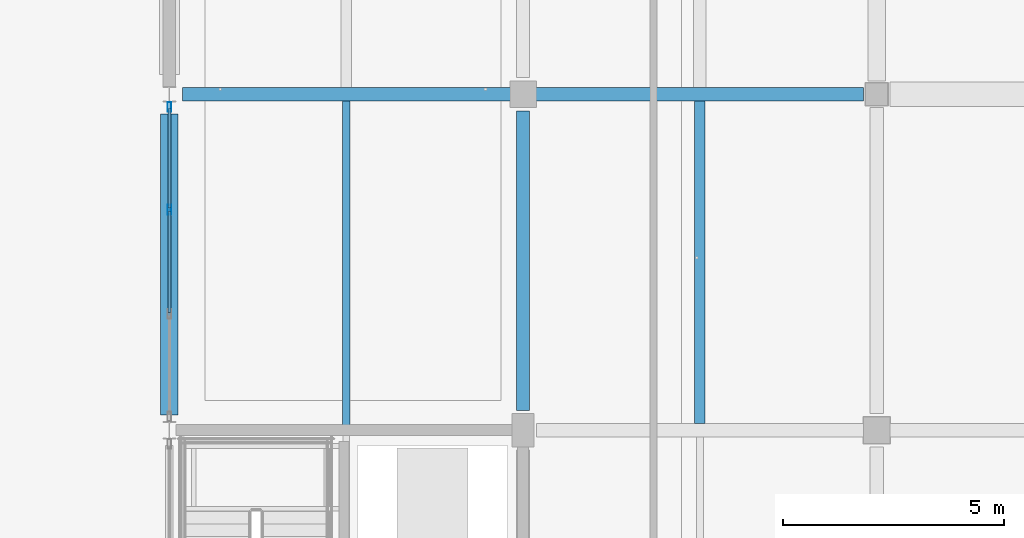
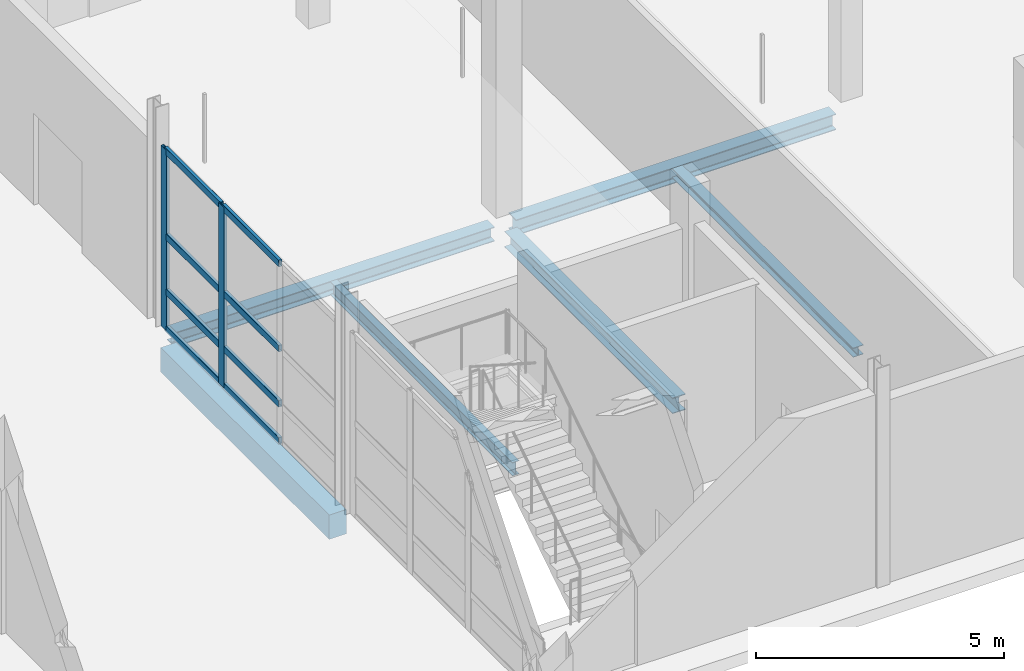
# One storey, part 31 of 126: 10 members, 6 beams, 1 element without a shape of its own.
"""IFC4 building model written with IfcOpenShell, lengths in metres."""

from ifc_helpers import new_model, si_unit, direction, frame, origin, origin_2d, place, context, subcontext, project, spatial, rectangle, hollow_rectangle, i_section, extrude, material, material_profile, profile_set, type_object, element, aggregate, save


model = new_model("IFC4")

# Units and contexts
model_context = context("Model", 3, precision=1e-05, world=origin(), true_north=direction((0.0, 1.0)))
body_context = subcontext(model_context, "Body", "Model", "MODEL_VIEW")
ifc_project = project(units=[si_unit("LENGTHUNIT", "METRE"), si_unit("AREAUNIT", "SQUARE_METRE"), si_unit("VOLUMEUNIT", "CUBIC_METRE"), si_unit("PLANEANGLEUNIT", "RADIAN"), si_unit("MASSUNIT", "GRAM", prefix="KILO")], contexts=[model_context])

# Site, building, storey
site_placement = place(None, origin())
site = spatial("IfcSite", under=ifc_project, at=site_placement, CompositionType="ELEMENT")
building_placement = place(site_placement, origin())
building = spatial("IfcBuilding", under=site, at=building_placement, Name="Khelvaren Railside Concert Hall", CompositionType="ELEMENT")
storey_placement = place(building_placement, origin())
storey = spatial("IfcBuildingStorey", under=building, at=storey_placement, Name="L00", CompositionType="ELEMENT", Elevation=0.0)

# Beams
ifc_material_1 = material(Name="Steel S355", Category="steel")
ifc_material_profile_1 = material_profile(ifc_material_1, i_section(OverallWidth=0.300048828125, OverallDepth=0.389892578125, WebThickness=0.010986328125, FlangeThickness=0.01904296875, FilletRadius=0.027099609375, at=origin_2d()), Name="HEA 400")
ifc_profile_set_1 = profile_set([ifc_material_profile_1], Name="Steel S355")
beam_type_1 = type_object("IfcBeamType", Name="BM23", PredefinedType="BEAM", material=ifc_profile_set_1)
beam_1_placement = place(storey_placement, frame((152.25, 15.199951171875, -0.514892578125), z_axis=(1.0, 0.0, 0.0), x_axis=(0.0, 1.0, 0.0)))
element("IfcBeam", 1, at=beam_1_placement, inside=storey, type_object=beam_type_1, Name="V2 L00 Beam X3.2", PredefinedType="BEAM", context=body_context, shape_type="SweptSolid", body=[
    extrude(i_section(OverallWidth=0.300048828125, OverallDepth=0.389892578125, WebThickness=0.010986328125, FlangeThickness=0.01904296875, FilletRadius=0.027099609375, at=origin_2d()), origin(), (0.0, 0.0, 1.0), 7.449951171875),
])
beam_2_placement = place(storey_placement, frame((152.0, 8.050048828125, -0.514892578125), z_axis=(0.0, 1.0, 0.0), x_axis=(-1.0, 0.0, 0.0)))
element("IfcBeam", 2, at=beam_2_placement, inside=storey, type_object=beam_type_1, Name="V2 L00 Beam Y2.2", PredefinedType="BEAM", context=body_context, shape_type="SweptSolid", body=[
    extrude(i_section(OverallWidth=0.300048828125, OverallDepth=0.389892578125, WebThickness=0.010986328125, FlangeThickness=0.01904296875, FilletRadius=0.027099609375, at=origin_2d()), origin(), (0.0, 0.0, 1.0), 6.77490234375),
])
ifc_material_profile_2 = material_profile(ifc_material_1, i_section(OverallWidth=0.300048828125, OverallDepth=0.35009765625, WebThickness=0.010009765625, FlangeThickness=0.017578125, FilletRadius=0.027099609375, at=origin_2d()), Name="HEA 360")
ifc_profile_set_2 = profile_set([ifc_material_profile_2], Name="Steel S355")
beam_type_2 = type_object("IfcBeamType", Name="BM73", PredefinedType="BEAM", material=ifc_profile_set_2)
beam_3_placement = place(storey_placement, frame((144.300048828125, 15.199951171875, -0.4951171875), z_axis=(1.0, 0.0, 0.0), x_axis=(0.0, 1.0, 0.0)))
element("IfcBeam", 3, at=beam_3_placement, inside=storey, type_object=beam_type_2, Name="V2 L00 Beam X3.1", PredefinedType="BEAM", context=body_context, shape_type="SweptSolid", body=[
    extrude(i_section(OverallWidth=0.300048828125, OverallDepth=0.35009765625, WebThickness=0.010009765625, FlangeThickness=0.017578125, FilletRadius=0.027099609375, at=origin_2d()), origin(), (0.0, 0.0, 1.0), 7.449951171875),
])

# Curtain wall, members
ifc_material_2 = material(Name="Triple-glazed solar-control glass", Category="glass")
curtain_wall_type = type_object("IfcCurtainWallType", Name="CW41", PredefinedType="USERDEFINED", material=ifc_material_2)
curtain_wall_placement = place(storey_placement, origin())
curtain_wall = element("IfcCurtainWall", 4, at=curtain_wall_placement, inside=storey, type_object=curtain_wall_type, Name="Unitised Curtain Wall CW-V2-L00-W-8", ObjectType="UNITISED CURTAIN WALL", PredefinedType="USERDEFINED")
ifc_material_3 = material(Name="Anodised architectural aluminium 6063-T6", Category="aluminium")
ifc_material_profile_3 = material_profile(ifc_material_3, hollow_rectangle(XDim=0.074951171875, YDim=0.219970703125, WallThickness=0.0048828125, InnerFilletRadius=0.0029296875, OuterFilletRadius=0.0048828125, at=origin_2d()), Name="CWM 75x220x5")
ifc_profile_set_3 = profile_set([ifc_material_profile_3], Name="Anodised architectural aluminium 6063-T6")
member_type_1 = type_object("IfcMemberType", Name="CWM13", PredefinedType="MULLION", material=ifc_profile_set_3)
member_1_placement = place(storey_placement, frame((144.0, 12.589111328125, 0.0), z_axis=(0.0, 0.0, 1.0), x_axis=(-1.0, 0.0, 0.0)))
member_1 = element("IfcMember", 5, at=member_1_placement, type_object=member_type_1, Name="CW41 mullion 3", PredefinedType="MULLION", context=body_context, shape_type="SweptSolid", body=[
    extrude(hollow_rectangle(XDim=0.074951171875, YDim=0.219970703125, WallThickness=0.0048828125, InnerFilletRadius=0.0029296875, OuterFilletRadius=0.0048828125, at=origin_2d()), origin(), (0.0, 0.0, 1.0), 4.43994140625),
])
member_2_placement = place(storey_placement, frame((144.0, 14.909912109375, 0.0), z_axis=(0.0, 0.0, 1.0), x_axis=(-1.0, 0.0, 0.0)))
member_2 = element("IfcMember", 6, at=member_2_placement, type_object=member_type_1, Name="CW41 mullion 4", PredefinedType="MULLION", context=body_context, shape_type="SweptSolid", body=[
    extrude(hollow_rectangle(XDim=0.074951171875, YDim=0.219970703125, WallThickness=0.0048828125, InnerFilletRadius=0.0029296875, OuterFilletRadius=0.0048828125, at=origin_2d()), origin(), (0.0, 0.0, 1.0), 4.43994140625),
])
ifc_material_profile_4 = material_profile(ifc_material_3, hollow_rectangle(XDim=0.074951171875, YDim=0.1650390625, WallThickness=0.00390625, InnerFilletRadius=0.001953125, OuterFilletRadius=0.00390625, at=origin_2d()), Name="CWT 75x165x4")
ifc_profile_set_4 = profile_set([ifc_material_profile_4], Name="Anodised architectural aluminium 6063-T6")
member_type_2 = type_object("IfcMemberType", Name="CWT46", PredefinedType="USERDEFINED", material=ifc_profile_set_4)
member_3_placement = place(storey_placement, frame((144.0, 10.268310546875, 0.03759765625), z_axis=(0.0, 1.0, 0.0), x_axis=(-1.0, 0.0, 0.0)))
member_3 = element("IfcMember", 7, at=member_3_placement, type_object=member_type_2, Name="CW41 transom 2.1", ObjectType="TRANSOM", PredefinedType="USERDEFINED", context=body_context, shape_type="SweptSolid", body=[
    extrude(hollow_rectangle(XDim=0.074951171875, YDim=0.1650390625, WallThickness=0.00390625, InnerFilletRadius=0.001953125, OuterFilletRadius=0.00390625, at=origin_2d()), origin(), (0.0, 0.0, 1.0), 2.283447265625),
])
member_4_placement = place(storey_placement, frame((144.0, 10.268310546875, 0.949951171875), z_axis=(0.0, 1.0, 0.0), x_axis=(-1.0, 0.0, 0.0)))
member_4 = element("IfcMember", 8, at=member_4_placement, type_object=member_type_2, Name="CW41 transom 2.2", ObjectType="TRANSOM", PredefinedType="USERDEFINED", context=body_context, shape_type="SweptSolid", body=[
    extrude(hollow_rectangle(XDim=0.074951171875, YDim=0.1650390625, WallThickness=0.00390625, InnerFilletRadius=0.001953125, OuterFilletRadius=0.00390625, at=origin_2d()), origin(), (0.0, 0.0, 1.0), 2.283447265625),
])
member_5_placement = place(storey_placement, frame((144.0, 10.268310546875, 2.308837890625), z_axis=(0.0, 1.0, 0.0), x_axis=(-1.0, 0.0, 0.0)))
member_5 = element("IfcMember", 9, at=member_5_placement, type_object=member_type_2, Name="CW41 transom 2.3", ObjectType="TRANSOM", PredefinedType="USERDEFINED", context=body_context, shape_type="SweptSolid", body=[
    extrude(hollow_rectangle(XDim=0.074951171875, YDim=0.1650390625, WallThickness=0.00390625, InnerFilletRadius=0.001953125, OuterFilletRadius=0.00390625, at=origin_2d()), origin(), (0.0, 0.0, 1.0), 2.283447265625),
])
member_6_placement = place(storey_placement, frame((144.0, 10.268310546875, 4.402587890625), z_axis=(0.0, 1.0, 0.0), x_axis=(-1.0, 0.0, 0.0)))
member_6 = element("IfcMember", 10, at=member_6_placement, type_object=member_type_2, Name="CW41 transom 2.4", ObjectType="TRANSOM", PredefinedType="USERDEFINED", context=body_context, shape_type="SweptSolid", body=[
    extrude(hollow_rectangle(XDim=0.074951171875, YDim=0.1650390625, WallThickness=0.00390625, InnerFilletRadius=0.001953125, OuterFilletRadius=0.00390625, at=origin_2d()), origin(), (0.0, 0.0, 1.0), 2.283447265625),
])
member_7_placement = place(storey_placement, frame((144.0, 12.626708984375, 0.03759765625), z_axis=(0.0, 1.0, 0.0), x_axis=(-1.0, 0.0, 0.0)))
member_7 = element("IfcMember", 11, at=member_7_placement, type_object=member_type_2, Name="CW41 transom 3.1", ObjectType="TRANSOM", PredefinedType="USERDEFINED", context=body_context, shape_type="SweptSolid", body=[
    extrude(hollow_rectangle(XDim=0.074951171875, YDim=0.1650390625, WallThickness=0.00390625, InnerFilletRadius=0.001953125, OuterFilletRadius=0.00390625, at=origin_2d()), origin(), (0.0, 0.0, 1.0), 2.245849609375),
])
member_8_placement = place(storey_placement, frame((144.0, 12.626708984375, 0.949951171875), z_axis=(0.0, 1.0, 0.0), x_axis=(-1.0, 0.0, 0.0)))
member_8 = element("IfcMember", 12, at=member_8_placement, type_object=member_type_2, Name="CW41 transom 3.2", ObjectType="TRANSOM", PredefinedType="USERDEFINED", context=body_context, shape_type="SweptSolid", body=[
    extrude(hollow_rectangle(XDim=0.074951171875, YDim=0.1650390625, WallThickness=0.00390625, InnerFilletRadius=0.001953125, OuterFilletRadius=0.00390625, at=origin_2d()), origin(), (0.0, 0.0, 1.0), 2.245849609375),
])
member_9_placement = place(storey_placement, frame((144.0, 12.626708984375, 2.308837890625), z_axis=(0.0, 1.0, 0.0), x_axis=(-1.0, 0.0, 0.0)))
member_9 = element("IfcMember", 13, at=member_9_placement, type_object=member_type_2, Name="CW41 transom 3.3", ObjectType="TRANSOM", PredefinedType="USERDEFINED", context=body_context, shape_type="SweptSolid", body=[
    extrude(hollow_rectangle(XDim=0.074951171875, YDim=0.1650390625, WallThickness=0.00390625, InnerFilletRadius=0.001953125, OuterFilletRadius=0.00390625, at=origin_2d()), origin(), (0.0, 0.0, 1.0), 2.245849609375),
])
member_10_placement = place(storey_placement, frame((144.0, 12.626708984375, 4.402587890625), z_axis=(0.0, 1.0, 0.0), x_axis=(-1.0, 0.0, 0.0)))
member_10 = element("IfcMember", 14, at=member_10_placement, type_object=member_type_2, Name="CW41 transom 3.4", ObjectType="TRANSOM", PredefinedType="USERDEFINED", context=body_context, shape_type="SweptSolid", body=[
    extrude(hollow_rectangle(XDim=0.074951171875, YDim=0.1650390625, WallThickness=0.00390625, InnerFilletRadius=0.001953125, OuterFilletRadius=0.00390625, at=origin_2d()), origin(), (0.0, 0.0, 1.0), 2.245849609375),
])
aggregate(curtain_wall, [member_1, member_2, member_3, member_4, member_5, member_6, member_7, member_8, member_9, member_10])

# Beams
ifc_material_profile_5 = material_profile(ifc_material_1, i_section(OverallWidth=0.159912109375, OverallDepth=0.330078125, WebThickness=0.007568359375, FlangeThickness=0.011474609375, FilletRadius=0.01806640625, at=origin_2d()), Name="IPE 330")
ifc_profile_set_5 = profile_set([ifc_material_profile_5], Name="Steel S355")
beam_type_3 = type_object("IfcBeamType", Name="JS65", PredefinedType="JOIST", material=ifc_profile_set_5)
beam_4_placement = place(storey_placement, frame((148.0, 7.699951171875, -0.485107421875), z_axis=(0.0, 1.0, 0.0), x_axis=(-1.0, 0.0, 0.0)))
element("IfcBeam", 15, at=beam_4_placement, inside=storey, type_object=beam_type_3, Name="V2 L00 Secondary Joist 1.2", PredefinedType="JOIST", context=body_context, shape_type="SweptSolid", body=[
    extrude(i_section(OverallWidth=0.159912109375, OverallDepth=0.330078125, WebThickness=0.007568359375, FlangeThickness=0.011474609375, FilletRadius=0.01806640625, at=origin_2d()), origin(), (0.0, 0.0, 1.0), 7.35009765625),
])
ifc_material_profile_6 = material_profile(ifc_material_1, i_section(OverallWidth=0.239990234375, OverallDepth=0.22998046875, WebThickness=0.007568359375, FlangeThickness=0.011962890625, FilletRadius=0.02099609375, at=origin_2d()), Name="HEA 240")
ifc_profile_set_6 = profile_set([ifc_material_profile_6], Name="Steel S355")
beam_type_4 = type_object("IfcBeamType", Name="JS76", PredefinedType="JOIST", material=ifc_profile_set_6)
beam_5_placement = place(storey_placement, frame((156.0, 7.75, -0.43505859375), z_axis=(0.0, 1.0, 0.0), x_axis=(-1.0, 0.0, 0.0)))
element("IfcBeam", 16, at=beam_5_placement, inside=storey, type_object=beam_type_4, Name="V2 L00 Secondary Joist 2.2", PredefinedType="JOIST", context=body_context, shape_type="SweptSolid", body=[
    extrude(i_section(OverallWidth=0.239990234375, OverallDepth=0.22998046875, WebThickness=0.007568359375, FlangeThickness=0.011962890625, FilletRadius=0.02099609375, at=origin_2d()), origin(), (0.0, 0.0, 1.0), 7.300048828125),
])
ifc_material_4 = material(Name="Concrete C40/50", Category="concrete")
ifc_material_profile_7 = material_profile(ifc_material_4, rectangle(XDim=0.39990234375, YDim=0.60009765625, at=origin_2d()), Name="RCB 400x600")
ifc_profile_set_7 = profile_set([ifc_material_profile_7], Name="Concrete C40/50")
beam_type_5 = type_object("IfcBeamType", Name="SP75", PredefinedType="SPANDREL", material=ifc_profile_set_7)
beam_6_placement = place(storey_placement, frame((144.0, 7.949951171875, -0.6201171875), z_axis=(0.0, 1.0, 0.0), x_axis=(-1.0, 0.0, 0.0)))
element("IfcBeam", 17, at=beam_6_placement, inside=storey, type_object=beam_type_5, Name="V2 L00 Spandrel Y1.2", PredefinedType="SPANDREL", context=body_context, shape_type="SweptSolid", body=[
    extrude(rectangle(XDim=0.39990234375, YDim=0.60009765625, at=origin_2d()), origin(), (0.0, 0.0, 1.0), 6.800048828125),
])

save(model, "model.ifc")
